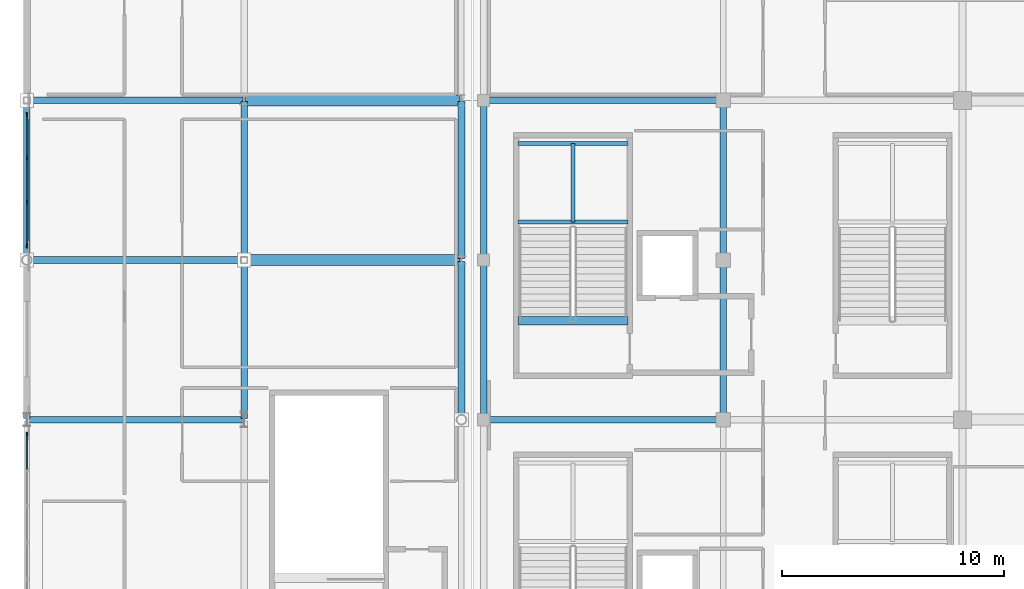
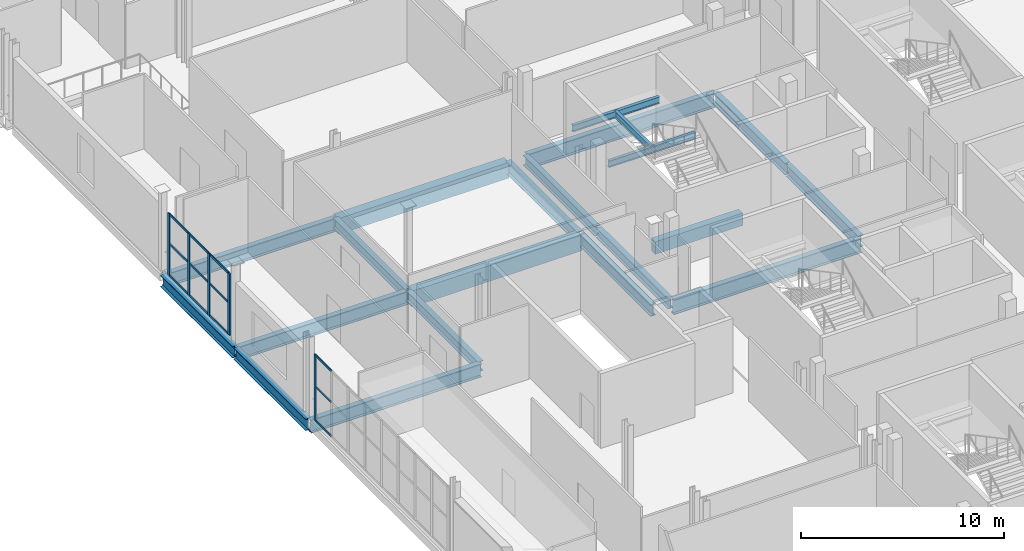
# One storey, part 34 of 142: 21 beams, 17 members, 2 elements without a shape of their own.
"""IFC4 building model written with IfcOpenShell, lengths in metres."""

from ifc_helpers import new_model, si_unit, direction, frame, origin, origin_2d, place, context, subcontext, project, spatial, rectangle, i_section, extrude, material, material_profile, profile_set, type_object, element, aggregate, save


model = new_model("IFC4")

# Units and contexts
model_context = context("Model", 3, precision=1e-05, world=origin(), true_north=direction((0.0, 1.0)))
body_context = subcontext(model_context, "Body", "Model", "MODEL_VIEW")
ifc_project = project(units=[si_unit("LENGTHUNIT", "METRE"), si_unit("AREAUNIT", "SQUARE_METRE"), si_unit("VOLUMEUNIT", "CUBIC_METRE"), si_unit("PLANEANGLEUNIT", "RADIAN"), si_unit("MASSUNIT", "GRAM", prefix="KILO")], contexts=[model_context])

# Site, building, storey
site_placement = place(None, origin())
site = spatial("IfcSite", under=ifc_project, at=site_placement, CompositionType="ELEMENT")
building_placement = place(site_placement, origin())
building = spatial("IfcBuilding", under=site, at=building_placement, Name="Koshinbarg Plaza Stadium", CompositionType="ELEMENT")
storey_placement = place(building_placement, frame((0.0, 0.0, 10.199951171875)))
storey = spatial("IfcBuildingStorey", under=building, at=storey_placement, Name="L02", CompositionType="ELEMENT", Elevation=10.199951171875)

# Beams
ifc_material_1 = material(Name="Concrete C40/50", Category="concrete")
ifc_material_profile_1 = material_profile(ifc_material_1, rectangle(XDim=0.39990234375, YDim=0.75, at=origin_2d()), Name="RC 400x750")
ifc_profile_set_1 = profile_set([ifc_material_profile_1], Name="Concrete C40/50")
beam_type_1 = type_object("IfcBeamType", Name="BM-RCG-03", PredefinedType="USERDEFINED", material=ifc_profile_set_1)
beam_1_placement = place(storey_placement, frame((26.14990234375, 101.9599609375, -0.375), z_axis=(1.0, 0.0, 0.0), x_axis=(0.0, 1.0, 0.0)))
element("IfcBeam", 1, at=beam_1_placement, inside=storey, type_object=beam_type_1, Name="L02 stair landing header beam C06", ObjectType="GIRDER", PredefinedType="USERDEFINED", context=body_context, shape_type="SweptSolid", body=[
    extrude(rectangle(XDim=0.39990234375, YDim=0.75, at=origin_2d()), origin(), (0.0, 0.0, 1.0), 4.97021484375),
])
ifc_material_profile_2 = material_profile(ifc_material_1, rectangle(XDim=0.5, YDim=0.949951171875, at=origin_2d()), Name="RC 500x950")
ifc_profile_set_2 = profile_set([ifc_material_profile_2], Name="Concrete C40/50")
beam_type_2 = type_object("IfcBeamType", Name="BM-RCG-06", PredefinedType="USERDEFINED", material=ifc_profile_set_2)
for number, where, z_axis, x_axis, name in (
    (2, (13.860107421875, 104.699951171875, -0.77490234375), (1.0, 0.0, 0.0), (0.0, 1.0, 0.0), "L02 X girder P/3-4"),
    (3, (13.860107421875, 111.89990234375, -0.77490234375), (1.0, 0.0, 0.0), (0.0, 1.0, 0.0), "L02 X girder Q/3-4"),
):
    element("IfcBeam", number, at=place(storey_placement, frame(where, z_axis=z_axis, x_axis=x_axis)), inside=storey, type_object=beam_type_2, Name=name, ObjectType="GIRDER", PredefinedType="USERDEFINED", context=body_context, shape_type="SweptSolid", body=[
        extrude(rectangle(XDim=0.5, YDim=0.949951171875, at=origin_2d()), origin(), (0.0, 0.0, 1.0), 9.679931640625),
    ])
ifc_material_2 = material(Name="Steel S355", Category="steel")
ifc_material_profile_3 = material_profile(ifc_material_2, i_section(OverallWidth=0.179931640625, OverallDepth=0.39990234375, WebThickness=0.008544921875, FlangeThickness=0.013427734375, at=origin_2d()), Name="IPE 400")
ifc_profile_set_3 = profile_set([ifc_material_profile_3], Name="Steel S355")
beam_type_3 = type_object("IfcBeamType", Name="BM-SBM-01", PredefinedType="BEAM", material=ifc_profile_set_3)
for number, where, z_axis, x_axis, name in (
    (4, (26.14990234375, 106.409912109375, 1.880126953125), (1.0, 0.0, 0.0), (0.0, 1.0, 0.0), "L02 Protected Exit Stair C06 landing trimmer beam 1"),
    (5, (26.14990234375, 109.949951171875, 1.880126953125), (1.0, 0.0, 0.0), (0.0, 1.0, 0.0), "L02 Protected Exit Stair C06 landing trimmer beam 2"),
):
    element("IfcBeam", number, at=place(storey_placement, frame(where, z_axis=z_axis, x_axis=x_axis)), inside=storey, type_object=beam_type_3, Name=name, PredefinedType="BEAM", context=body_context, shape_type="SweptSolid", body=[
        extrude(i_section(OverallWidth=0.179931640625, OverallDepth=0.39990234375, WebThickness=0.008544921875, FlangeThickness=0.013427734375, at=origin_2d()), origin(), (0.0, 0.0, 1.0), 4.97021484375),
    ])
beam_2_placement = place(storey_placement, frame((28.635009765625, 106.409912109375, 1.880126953125), z_axis=(0.0, 1.0, 0.0), x_axis=(-1.0, 0.0, 0.0)))
element("IfcBeam", 6, at=beam_2_placement, inside=storey, type_object=beam_type_3, Name="L02 Protected Exit Stair C06 landing trimmer beam 3", PredefinedType="BEAM", context=body_context, shape_type="SweptSolid", body=[
    extrude(i_section(OverallWidth=0.179931640625, OverallDepth=0.39990234375, WebThickness=0.008544921875, FlangeThickness=0.013427734375, at=origin_2d()), origin(), (0.0, 0.0, 1.0), 3.5400390625),
])
ifc_material_profile_4 = material_profile(ifc_material_2, i_section(OverallWidth=0.300048828125, OverallDepth=0.60009765625, WebThickness=0.015380859375, FlangeThickness=0.030029296875, at=origin_2d()), Name="HEB 600")
ifc_profile_set_4 = profile_set([ifc_material_profile_4], Name="Steel S355")
beam_type_4 = type_object("IfcBeamType", Name="BM-SGIR-02", PredefinedType="USERDEFINED", material=ifc_profile_set_4)
beam_3_placement = place(storey_placement, frame((13.800048828125, 97.56005859375, -0.599853515625), z_axis=(0.0, 1.0, 0.0), x_axis=(-1.0, 0.0, 0.0)))
element("IfcBeam", 7, at=beam_3_placement, inside=storey, type_object=beam_type_4, Name="L02 Y girder 3/N-P", ObjectType="GIRDER", PredefinedType="USERDEFINED", context=body_context, shape_type="SweptSolid", body=[
    extrude(i_section(OverallWidth=0.300048828125, OverallDepth=0.60009765625, WebThickness=0.015380859375, FlangeThickness=0.030029296875, at=origin_2d()), origin(), (0.0, 0.0, 1.0), 7.079833984375),
])
beam_4_placement = place(storey_placement, frame((13.800048828125, 104.760009765625, -0.599853515625), z_axis=(0.0, 1.0, 0.0), x_axis=(-1.0, 0.0, 0.0)))
element("IfcBeam", 8, at=beam_4_placement, inside=storey, type_object=beam_type_4, Name="L02 Y girder 3/P-Q", ObjectType="GIRDER", PredefinedType="USERDEFINED", context=body_context, shape_type="SweptSolid", body=[
    extrude(i_section(OverallWidth=0.300048828125, OverallDepth=0.60009765625, WebThickness=0.015380859375, FlangeThickness=0.030029296875, at=origin_2d()), origin(), (0.0, 0.0, 1.0), 7.080078125),
])
beam_5_placement = place(storey_placement, frame((24.60009765625, 97.56005859375, -0.599853515625), z_axis=(0.0, 1.0, 0.0), x_axis=(-1.0, 0.0, 0.0)))
element("IfcBeam", 9, at=beam_5_placement, inside=storey, type_object=beam_type_4, Name="L02 Y girder 5/N-P", ObjectType="GIRDER", PredefinedType="USERDEFINED", context=body_context, shape_type="SweptSolid", body=[
    extrude(i_section(OverallWidth=0.300048828125, OverallDepth=0.60009765625, WebThickness=0.015380859375, FlangeThickness=0.030029296875, at=origin_2d()), origin(), (0.0, 0.0, 1.0), 7.079833984375),
])
beam_6_placement = place(storey_placement, frame((24.60009765625, 104.760009765625, -0.599853515625), z_axis=(0.0, 1.0, 0.0), x_axis=(-1.0, 0.0, 0.0)))
element("IfcBeam", 10, at=beam_6_placement, inside=storey, type_object=beam_type_4, Name="L02 Y girder 5/P-Q", ObjectType="GIRDER", PredefinedType="USERDEFINED", context=body_context, shape_type="SweptSolid", body=[
    extrude(i_section(OverallWidth=0.300048828125, OverallDepth=0.60009765625, WebThickness=0.015380859375, FlangeThickness=0.030029296875, at=origin_2d()), origin(), (0.0, 0.0, 1.0), 7.080078125),
])
ifc_material_profile_5 = material_profile(ifc_material_2, i_section(OverallWidth=0.300048828125, OverallDepth=0.699951171875, WebThickness=0.01708984375, FlangeThickness=0.031982421875, at=origin_2d()), Name="HEB 700")
ifc_profile_set_5 = profile_set([ifc_material_profile_5], Name="Steel S355")
beam_type_5 = type_object("IfcBeamType", Name="BM-SGIR-03", PredefinedType="USERDEFINED", material=ifc_profile_set_5)
beam_7_placement = place(storey_placement, frame((4.0, 97.56005859375, -0.64990234375), z_axis=(0.0, 1.0, 0.0), x_axis=(-1.0, 0.0, 0.0)))
element("IfcBeam", 11, at=beam_7_placement, inside=storey, type_object=beam_type_5, Name="L02 Y girder 2/N-P", ObjectType="GIRDER", PredefinedType="USERDEFINED", context=body_context, shape_type="SweptSolid", body=[
    extrude(i_section(OverallWidth=0.300048828125, OverallDepth=0.699951171875, WebThickness=0.01708984375, FlangeThickness=0.031982421875, at=origin_2d()), origin(), (0.0, 0.0, 1.0), 7.079833984375),
])
beam_8_placement = place(storey_placement, frame((4.0, 104.760009765625, -0.64990234375), z_axis=(0.0, 1.0, 0.0), x_axis=(-1.0, 0.0, 0.0)))
element("IfcBeam", 12, at=beam_8_placement, inside=storey, type_object=beam_type_5, Name="L02 Y girder 2/P-Q", ObjectType="GIRDER", PredefinedType="USERDEFINED", context=body_context, shape_type="SweptSolid", body=[
    extrude(i_section(OverallWidth=0.300048828125, OverallDepth=0.699951171875, WebThickness=0.01708984375, FlangeThickness=0.031982421875, at=origin_2d()), origin(), (0.0, 0.0, 1.0), 7.080078125),
])
beam_9_placement = place(storey_placement, frame((23.60009765625, 97.56005859375, -0.64990234375), z_axis=(0.0, 1.0, 0.0), x_axis=(-1.0, 0.0, 0.0)))
element("IfcBeam", 13, at=beam_9_placement, inside=storey, type_object=beam_type_5, Name="L02 Y girder 4/N-P", ObjectType="GIRDER", PredefinedType="USERDEFINED", context=body_context, shape_type="SweptSolid", body=[
    extrude(i_section(OverallWidth=0.300048828125, OverallDepth=0.699951171875, WebThickness=0.01708984375, FlangeThickness=0.031982421875, at=origin_2d()), origin(), (0.0, 0.0, 1.0), 7.079833984375),
])
beam_10_placement = place(storey_placement, frame((23.60009765625, 104.760009765625, -0.64990234375), z_axis=(0.0, 1.0, 0.0), x_axis=(-1.0, 0.0, 0.0)))
element("IfcBeam", 14, at=beam_10_placement, inside=storey, type_object=beam_type_5, Name="L02 Y girder 4/P-Q", ObjectType="GIRDER", PredefinedType="USERDEFINED", context=body_context, shape_type="SweptSolid", body=[
    extrude(i_section(OverallWidth=0.300048828125, OverallDepth=0.699951171875, WebThickness=0.01708984375, FlangeThickness=0.031982421875, at=origin_2d()), origin(), (0.0, 0.0, 1.0), 7.080078125),
])
beam_11_placement = place(storey_placement, frame((35.39990234375, 97.56005859375, -0.64990234375), z_axis=(0.0, 1.0, 0.0), x_axis=(-1.0, 0.0, 0.0)))
element("IfcBeam", 15, at=beam_11_placement, inside=storey, type_object=beam_type_5, Name="L02 Y girder 6/N-P", ObjectType="GIRDER", PredefinedType="USERDEFINED", context=body_context, shape_type="SweptSolid", body=[
    extrude(i_section(OverallWidth=0.300048828125, OverallDepth=0.699951171875, WebThickness=0.01708984375, FlangeThickness=0.031982421875, at=origin_2d()), origin(), (0.0, 0.0, 1.0), 7.079833984375),
])
beam_12_placement = place(storey_placement, frame((35.39990234375, 104.760009765625, -0.64990234375), z_axis=(0.0, 1.0, 0.0), x_axis=(-1.0, 0.0, 0.0)))
element("IfcBeam", 16, at=beam_12_placement, inside=storey, type_object=beam_type_5, Name="L02 Y girder 6/P-Q", ObjectType="GIRDER", PredefinedType="USERDEFINED", context=body_context, shape_type="SweptSolid", body=[
    extrude(i_section(OverallWidth=0.300048828125, OverallDepth=0.699951171875, WebThickness=0.01708984375, FlangeThickness=0.031982421875, at=origin_2d()), origin(), (0.0, 0.0, 1.0), 7.080078125),
])
ifc_material_profile_6 = material_profile(ifc_material_2, i_section(OverallWidth=0.300048828125, OverallDepth=0.800048828125, WebThickness=0.017578125, FlangeThickness=0.032958984375, at=origin_2d()), Name="HEB 800")
ifc_profile_set_6 = profile_set([ifc_material_profile_6], Name="Steel S355")
beam_type_6 = type_object("IfcBeamType", Name="BM-SGIR-04", PredefinedType="USERDEFINED", material=ifc_profile_set_6)
for number, where, z_axis, x_axis, name in (
    (17, (4.06005859375, 97.5, -0.699951171875), (1.0, 0.0, 0.0), (0.0, 1.0, 0.0), "L02 X girder N/2-3"),
    (18, (4.06005859375, 104.699951171875, -0.699951171875), (1.0, 0.0, 0.0), (0.0, 1.0, 0.0), "L02 X girder P/2-3"),
    (19, (4.06005859375, 111.89990234375, -0.699951171875), (1.0, 0.0, 0.0), (0.0, 1.0, 0.0), "L02 X girder Q/2-3"),
):
    element("IfcBeam", number, at=place(storey_placement, frame(where, z_axis=z_axis, x_axis=x_axis)), inside=storey, type_object=beam_type_6, Name=name, ObjectType="GIRDER", PredefinedType="USERDEFINED", context=body_context, shape_type="SweptSolid", body=[
        extrude(i_section(OverallWidth=0.300048828125, OverallDepth=0.800048828125, WebThickness=0.017578125, FlangeThickness=0.032958984375, at=origin_2d()), origin(), (0.0, 0.0, 1.0), 9.679931640625),
    ])
ifc_material_profile_7 = material_profile(ifc_material_2, i_section(OverallWidth=0.300048828125, OverallDepth=0.89990234375, WebThickness=0.0185546875, FlangeThickness=0.034912109375, at=origin_2d()), Name="HEB 900")
ifc_profile_set_7 = profile_set([ifc_material_profile_7], Name="Steel S355")
beam_type_7 = type_object("IfcBeamType", Name="BM-SGIR-05", PredefinedType="USERDEFINED", material=ifc_profile_set_7)
for number, where, z_axis, x_axis, name in (
    (20, (24.659912109375, 97.5, -0.75), (1.0, 0.0, 0.0), (0.0, 1.0, 0.0), "L02 X girder N/5-6"),
    (21, (24.659912109375, 111.89990234375, -0.75), (1.0, 0.0, 0.0), (0.0, 1.0, 0.0), "L02 X girder Q/5-6"),
):
    element("IfcBeam", number, at=place(storey_placement, frame(where, z_axis=z_axis, x_axis=x_axis)), inside=storey, type_object=beam_type_7, Name=name, ObjectType="GIRDER", PredefinedType="USERDEFINED", context=body_context, shape_type="SweptSolid", body=[
        extrude(i_section(OverallWidth=0.300048828125, OverallDepth=0.89990234375, WebThickness=0.0185546875, FlangeThickness=0.034912109375, at=origin_2d()), origin(), (0.0, 0.0, 1.0), 10.68017578125),
    ])

# Curtain wall, member
ifc_material_3 = material(Name="Thermally broken anodised aluminium and low-E double glazing", Category="aluminium")
curtain_wall_type_1 = type_object("IfcCurtainWallType", Name="CW-SYS-11", PredefinedType="NOTDEFINED", material=ifc_material_3)
curtain_wall_1_placement = place(storey_placement, origin())
curtain_wall_1 = element("IfcCurtainWall", 22, at=curtain_wall_1_placement, inside=storey, type_object=curtain_wall_type_1, Name="L02 unitised curtain wall CW-L02-042", PredefinedType="NOTDEFINED")
ifc_material_4 = material(Name="Anodised aluminium mullion", Category="aluminium")
ifc_material_profile_8 = material_profile(ifc_material_4, rectangle(XDim=0.070068359375, YDim=0.179931640625, at=origin_2d()), Name="ALU 70x180")
ifc_profile_set_8 = profile_set([ifc_material_profile_8], Name="Anodised aluminium mullion")
member_type_1 = type_object("IfcMemberType", Name="CW-MUL-03", PredefinedType="MULLION", material=ifc_profile_set_8)
member_1_placement = place(storey_placement, frame((4.0, 96.85009765625, 0.0), z_axis=(0.0, 0.0, 1.0), x_axis=(-1.0, 0.0, 0.0)))
member_1 = element("IfcMember", 23, at=member_1_placement, type_object=member_type_1, Name="CW11 mullion 9", PredefinedType="MULLION", context=body_context, shape_type="SweptSolid", body=[
    extrude(rectangle(XDim=0.070068359375, YDim=0.179931640625, at=origin_2d()), origin(), (0.0, 0.0, 1.0), 3.969970703125),
])

# Curtain wall, members
curtain_wall_type_2 = type_object("IfcCurtainWallType", Name="CW-SYS-12", PredefinedType="NOTDEFINED", material=ifc_material_3)
curtain_wall_2_placement = place(storey_placement, origin())
curtain_wall_2 = element("IfcCurtainWall", 24, at=curtain_wall_2_placement, inside=storey, type_object=curtain_wall_type_2, Name="L02 unitised curtain wall CW-L02-043", PredefinedType="NOTDEFINED")
ifc_material_profile_9 = material_profile(ifc_material_4, rectangle(XDim=0.070068359375, YDim=0.199951171875, at=origin_2d()), Name="ALU 70x200")
ifc_profile_set_9 = profile_set([ifc_material_profile_9], Name="Anodised aluminium mullion")
member_type_2 = type_object("IfcMemberType", Name="CW-MUL-04", PredefinedType="MULLION", material=ifc_profile_set_9)
member_2_placement = place(storey_placement, frame((4.0, 105.35009765625, 0.0), z_axis=(0.0, 0.0, 1.0), x_axis=(-1.0, 0.0, 0.0)))
member_2 = element("IfcMember", 25, at=member_2_placement, type_object=member_type_2, Name="CW12 mullion 1", PredefinedType="MULLION", context=body_context, shape_type="SweptSolid", body=[
    extrude(rectangle(XDim=0.070068359375, YDim=0.199951171875, at=origin_2d()), origin(), (0.0, 0.0, 1.0), 3.719970703125),
])
member_3_placement = place(storey_placement, frame((4.0, 107.306640625, 0.0), z_axis=(0.0, 0.0, 1.0), x_axis=(-1.0, 0.0, 0.0)))
member_3 = element("IfcMember", 26, at=member_3_placement, type_object=member_type_2, Name="CW12 mullion 2", PredefinedType="MULLION", context=body_context, shape_type="SweptSolid", body=[
    extrude(rectangle(XDim=0.070068359375, YDim=0.199951171875, at=origin_2d()), origin(), (0.0, 0.0, 1.0), 3.719970703125),
])
member_4_placement = place(storey_placement, frame((4.0, 109.293212890625, 0.0), z_axis=(0.0, 0.0, 1.0), x_axis=(-1.0, 0.0, 0.0)))
member_4 = element("IfcMember", 27, at=member_4_placement, type_object=member_type_2, Name="CW12 mullion 3", PredefinedType="MULLION", context=body_context, shape_type="SweptSolid", body=[
    extrude(rectangle(XDim=0.070068359375, YDim=0.199951171875, at=origin_2d()), origin(), (0.0, 0.0, 1.0), 3.719970703125),
])
member_5_placement = place(storey_placement, frame((4.0, 111.25, 0.0), z_axis=(0.0, 0.0, 1.0), x_axis=(-1.0, 0.0, 0.0)))
member_5 = element("IfcMember", 28, at=member_5_placement, type_object=member_type_2, Name="CW12 mullion 4", PredefinedType="MULLION", context=body_context, shape_type="SweptSolid", body=[
    extrude(rectangle(XDim=0.070068359375, YDim=0.199951171875, at=origin_2d()), origin(), (0.0, 0.0, 1.0), 3.719970703125),
])

# Member
ifc_material_5 = material(Name="Anodised aluminium transom", Category="aluminium")
ifc_material_profile_10 = material_profile(ifc_material_5, rectangle(XDim=0.06005859375, YDim=0.110107421875, at=origin_2d()), Name="ALU 60x110")
ifc_profile_set_10 = profile_set([ifc_material_profile_10], Name="Anodised aluminium transom")
member_type_3 = type_object("IfcMemberType", Name="CW-TRN-01", PredefinedType="USERDEFINED", material=ifc_profile_set_10)
member_6_placement = place(storey_placement, frame((4.0, 95.264892578125, 0.030029296875), z_axis=(0.0, 1.0, 0.0), x_axis=(-1.0, 0.0, 0.0)))
member_6 = element("IfcMember", 29, at=member_6_placement, type_object=member_type_3, Name="CW11 transom 8.1", ObjectType="TRANSOM", PredefinedType="USERDEFINED", context=body_context, shape_type="SweptSolid", body=[
    extrude(rectangle(XDim=0.06005859375, YDim=0.110107421875, at=origin_2d()), origin(), (0.0, 0.0, 1.0), 1.55517578125),
])

member_7_placement = place(storey_placement, frame((4.0, 95.264892578125, 2.064453125), z_axis=(0.0, 1.0, 0.0), x_axis=(-1.0, 0.0, 0.0)))
member_7 = element("IfcMember", 30, at=member_7_placement, type_object=member_type_3, Name="CW11 transom 8.2", ObjectType="TRANSOM", PredefinedType="USERDEFINED", context=body_context, shape_type="SweptSolid", body=[
    extrude(rectangle(XDim=0.06005859375, YDim=0.110107421875, at=origin_2d()), origin(), (0.0, 0.0, 1.0), 1.55517578125),
])

member_8_placement = place(storey_placement, frame((4.0, 95.264892578125, 3.93994140625), z_axis=(0.0, 1.0, 0.0), x_axis=(-1.0, 0.0, 0.0)))
member_8 = element("IfcMember", 31, at=member_8_placement, type_object=member_type_3, Name="CW11 transom 8.3", ObjectType="TRANSOM", PredefinedType="USERDEFINED", context=body_context, shape_type="SweptSolid", body=[
    extrude(rectangle(XDim=0.06005859375, YDim=0.110107421875, at=origin_2d()), origin(), (0.0, 0.0, 1.0), 1.55517578125),
])

aggregate(curtain_wall_1, [member_1, member_6, member_7, member_8])

ifc_material_profile_11 = material_profile(ifc_material_5, rectangle(XDim=0.06005859375, YDim=0.1298828125, at=origin_2d()), Name="ALU 60x130")
ifc_profile_set_11 = profile_set([ifc_material_profile_11], Name="Anodised aluminium transom")
member_type_4 = type_object("IfcMemberType", Name="CW-TRN-02", PredefinedType="USERDEFINED", material=ifc_profile_set_11)
member_9_placement = place(storey_placement, frame((4.0, 105.3798828125, 0.030029296875), z_axis=(0.0, 1.0, 0.0), x_axis=(-1.0, 0.0, 0.0)))
member_9 = element("IfcMember", 32, at=member_9_placement, type_object=member_type_4, Name="CW12 transom 1.1", ObjectType="TRANSOM", PredefinedType="USERDEFINED", context=body_context, shape_type="SweptSolid", body=[
    extrude(rectangle(XDim=0.06005859375, YDim=0.1298828125, at=origin_2d()), origin(), (0.0, 0.0, 1.0), 1.896728515625),
])

member_10_placement = place(storey_placement, frame((4.0, 105.3798828125, 1.9345703125), z_axis=(0.0, 1.0, 0.0), x_axis=(-1.0, 0.0, 0.0)))
member_10 = element("IfcMember", 33, at=member_10_placement, type_object=member_type_4, Name="CW12 transom 1.2", ObjectType="TRANSOM", PredefinedType="USERDEFINED", context=body_context, shape_type="SweptSolid", body=[
    extrude(rectangle(XDim=0.06005859375, YDim=0.1298828125, at=origin_2d()), origin(), (0.0, 0.0, 1.0), 1.896728515625),
])

member_11_placement = place(storey_placement, frame((4.0, 105.3798828125, 3.68994140625), z_axis=(0.0, 1.0, 0.0), x_axis=(-1.0, 0.0, 0.0)))
member_11 = element("IfcMember", 34, at=member_11_placement, type_object=member_type_4, Name="CW12 transom 1.3", ObjectType="TRANSOM", PredefinedType="USERDEFINED", context=body_context, shape_type="SweptSolid", body=[
    extrude(rectangle(XDim=0.06005859375, YDim=0.1298828125, at=origin_2d()), origin(), (0.0, 0.0, 1.0), 1.896728515625),
])

member_12_placement = place(storey_placement, frame((4.0, 107.336669921875, 0.030029296875), z_axis=(0.0, 1.0, 0.0), x_axis=(-1.0, 0.0, 0.0)))
member_12 = element("IfcMember", 35, at=member_12_placement, type_object=member_type_4, Name="CW12 transom 2.1", ObjectType="TRANSOM", PredefinedType="USERDEFINED", context=body_context, shape_type="SweptSolid", body=[
    extrude(rectangle(XDim=0.06005859375, YDim=0.1298828125, at=origin_2d()), origin(), (0.0, 0.0, 1.0), 1.9267578125),
])

member_13_placement = place(storey_placement, frame((4.0, 107.336669921875, 1.9345703125), z_axis=(0.0, 1.0, 0.0), x_axis=(-1.0, 0.0, 0.0)))
member_13 = element("IfcMember", 36, at=member_13_placement, type_object=member_type_4, Name="CW12 transom 2.2", ObjectType="TRANSOM", PredefinedType="USERDEFINED", context=body_context, shape_type="SweptSolid", body=[
    extrude(rectangle(XDim=0.06005859375, YDim=0.1298828125, at=origin_2d()), origin(), (0.0, 0.0, 1.0), 1.9267578125),
])

member_14_placement = place(storey_placement, frame((4.0, 107.336669921875, 3.68994140625), z_axis=(0.0, 1.0, 0.0), x_axis=(-1.0, 0.0, 0.0)))
member_14 = element("IfcMember", 37, at=member_14_placement, type_object=member_type_4, Name="CW12 transom 2.3", ObjectType="TRANSOM", PredefinedType="USERDEFINED", context=body_context, shape_type="SweptSolid", body=[
    extrude(rectangle(XDim=0.06005859375, YDim=0.1298828125, at=origin_2d()), origin(), (0.0, 0.0, 1.0), 1.9267578125),
])

member_15_placement = place(storey_placement, frame((4.0, 109.3232421875, 0.030029296875), z_axis=(0.0, 1.0, 0.0), x_axis=(-1.0, 0.0, 0.0)))
member_15 = element("IfcMember", 38, at=member_15_placement, type_object=member_type_4, Name="CW12 transom 3.1", ObjectType="TRANSOM", PredefinedType="USERDEFINED", context=body_context, shape_type="SweptSolid", body=[
    extrude(rectangle(XDim=0.06005859375, YDim=0.1298828125, at=origin_2d()), origin(), (0.0, 0.0, 1.0), 1.896728515625),
])

member_16_placement = place(storey_placement, frame((4.0, 109.3232421875, 1.9345703125), z_axis=(0.0, 1.0, 0.0), x_axis=(-1.0, 0.0, 0.0)))
member_16 = element("IfcMember", 39, at=member_16_placement, type_object=member_type_4, Name="CW12 transom 3.2", ObjectType="TRANSOM", PredefinedType="USERDEFINED", context=body_context, shape_type="SweptSolid", body=[
    extrude(rectangle(XDim=0.06005859375, YDim=0.1298828125, at=origin_2d()), origin(), (0.0, 0.0, 1.0), 1.896728515625),
])

member_17_placement = place(storey_placement, frame((4.0, 109.3232421875, 3.68994140625), z_axis=(0.0, 1.0, 0.0), x_axis=(-1.0, 0.0, 0.0)))
member_17 = element("IfcMember", 40, at=member_17_placement, type_object=member_type_4, Name="CW12 transom 3.3", ObjectType="TRANSOM", PredefinedType="USERDEFINED", context=body_context, shape_type="SweptSolid", body=[
    extrude(rectangle(XDim=0.06005859375, YDim=0.1298828125, at=origin_2d()), origin(), (0.0, 0.0, 1.0), 1.896728515625),
])

aggregate(curtain_wall_2, [member_2, member_3, member_4, member_5, member_9, member_10, member_11, member_12, member_13, member_14, member_15, member_16, member_17])

save(model, "model.ifc")
